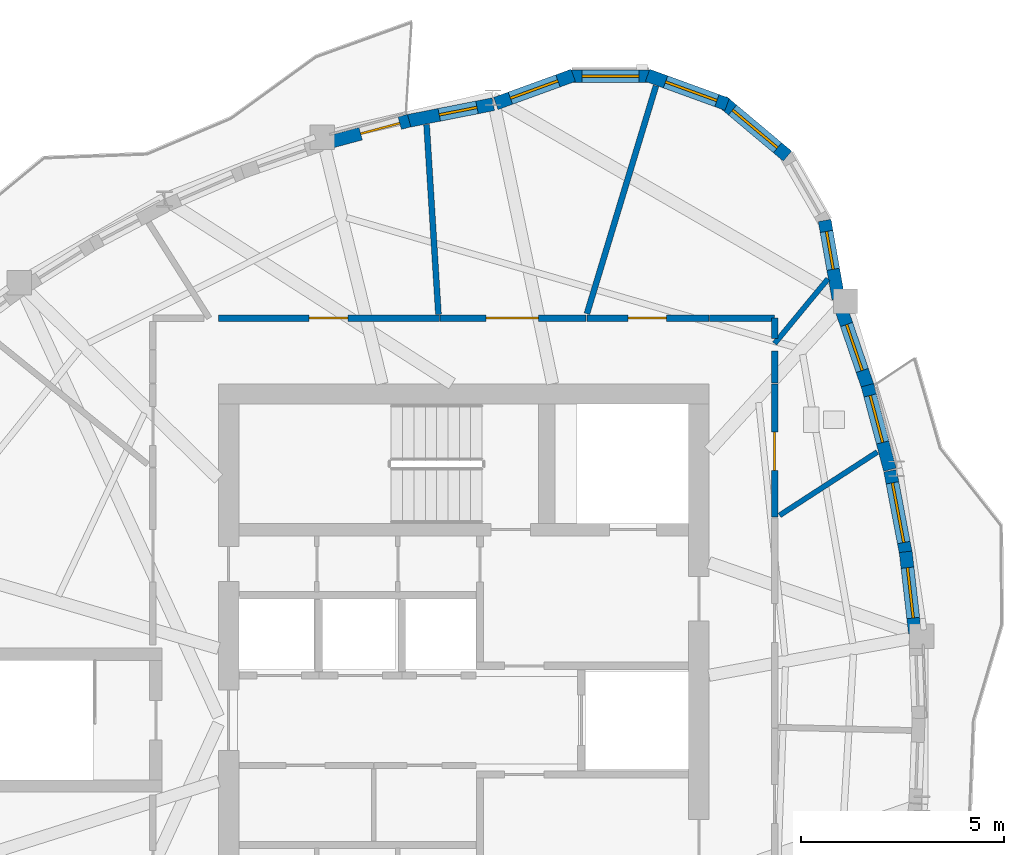
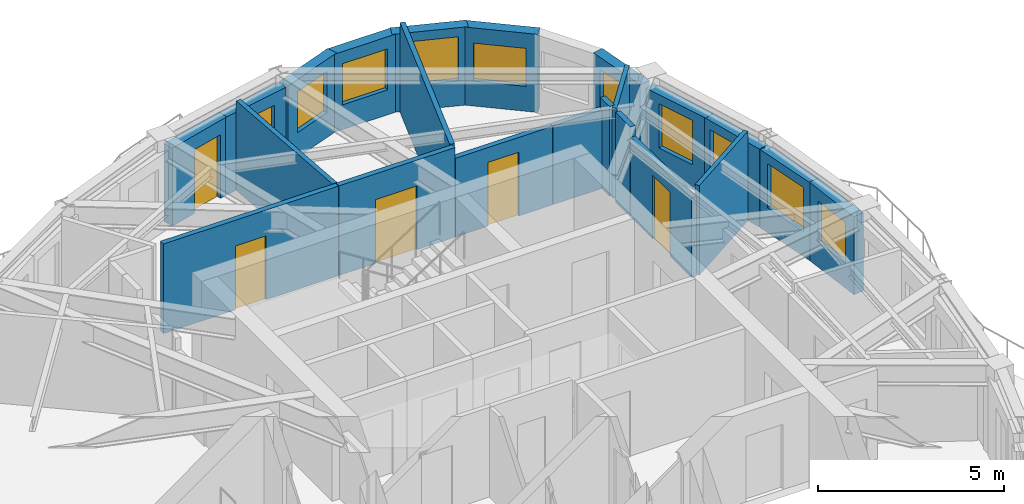
# One storey, part 7 of 12: 22 walls, 10 windows, 5 doors, 15 openings.
"""IFC4 building model written with IfcOpenShell, lengths in metres."""

from ifc_helpers import new_model, si_unit, direction, frame, frame_2d, origin, place, context, subcontext, project, spatial, rectangle, extrude, source, transform, mapped, material, layer, layer_set, type_object, element, fill, save


model = new_model("IFC4")

# Units and contexts
model_context = context("Model", 3, precision=1e-05, world=origin(), true_north=direction((0.0, 1.0)))
body_context = subcontext(model_context, "Body", "Model", "MODEL_VIEW")
ifc_project = project(units=[si_unit("LENGTHUNIT", "METRE"), si_unit("AREAUNIT", "SQUARE_METRE"), si_unit("VOLUMEUNIT", "CUBIC_METRE"), si_unit("PLANEANGLEUNIT", "RADIAN"), si_unit("MASSUNIT", "GRAM", prefix="KILO")], contexts=[model_context])

# Site, building, storey
site_placement = place(None, origin())
site = spatial("IfcSite", under=ifc_project, at=site_placement, CompositionType="ELEMENT")
building_placement = place(site_placement, origin())
building = spatial("IfcBuilding", under=site, at=building_placement, Name="Qafzar Sky-Pleat Residences", CompositionType="ELEMENT")
storey_placement = place(building_placement, frame((0.0, 0.0, 250.0)))
storey = spatial("IfcBuildingStorey", under=building, at=storey_placement, Name="L75", CompositionType="ELEMENT", Elevation=250.0)

# Wall, opening, door
ifc_material_1 = material(Name="Acoustic gypsum plasterboard partition", Category="gypsum")
ifc_layer_1 = layer(ifc_material_1, 0.159912109375)
ifc_layer_set_1 = layer_set([ifc_layer_1], Name="Acoustic gypsum plasterboard partition")
wall_type_1 = type_object("IfcWallType", Name="PART-COR-160", PredefinedType="PARTITIONING", material=ifc_layer_set_1)
wall_1_placement = place(storey_placement, frame((24.300048828125, 35.919921875, 0.0), z_axis=(0.0, 0.0, 1.0), x_axis=(1.0, 0.0, 0.0)))
wall_1 = element("IfcWall", 1, at=wall_1_placement, inside=storey, type_object=wall_type_1, Name="L75 Partition Wall PART-L75-PW-001", PredefinedType="PARTITIONING", context=body_context, shape_type="SweptSolid", body=[
    extrude(rectangle(XDim=5.446044921875, YDim=0.159912109375, at=frame_2d((2.72314453125, 0.0))), origin(), (0.0, 0.0, 1.0), 2.949951171875),
])
opening_1_placement = place(wall_1_placement, frame((2.235595703125, 0.0, 0.0)))
opening_1 = element("IfcOpeningElement", 2, at=opening_1_placement, cuts=wall_1, Name="Opening ID-06", PredefinedType="OPENING", context=body_context, shape_type="SweptSolid", body=[
    extrude(rectangle(XDim=0.9599609375, YDim=2.10009765625, at=frame_2d((0.47998046875, 1.050048828125))), frame((0.0, 0.08984375, 0.0), z_axis=(0.0, -1.0, 0.0), x_axis=(1.0, 0.0, 0.0)), (0.0, 0.0, 1.0), 0.179931640625),
])
ifc_material_2 = material(Name="Timber-faced fire door", Category="wood")
door_type_1 = type_object("IfcDoorType", Name="DR-STD-960", OperationType="NOTDEFINED", PredefinedType="DOOR", material=ifc_material_2)
shared_shape_1 = source(origin(), body_context, "Body", "SweptSolid", [
    extrude(rectangle(XDim=0.9599609375, YDim=2.10009765625, at=frame_2d((0.47998046875, 1.050048828125))), frame((0.0, 0.02490234375, 0.0), z_axis=(0.0, -1.0, 0.0), x_axis=(1.0, 0.0, 0.0)), (0.0, 0.0, 1.0), 0.050048828125),
])
door_1_placement = place(opening_1_placement, origin())
door_1 = element("IfcDoor", 3, at=door_1_placement, inside=storey, type_object=door_type_1, Name="L75 Scholar Co-Working Workspace Door", OperationType="SINGLE_SWING_RIGHT", OverallHeight=2.10009765625, OverallWidth=0.9599609375, PredefinedType="DOOR", context=body_context, shape_type="MappedRepresentation", body=[
    mapped(shared_shape_1, transform((0.0, 0.0, 0.0), x_axis=(1.0, 0.0, 0.0), y_axis=(0.0, 1.0, 0.0), z_axis=(0.0, 0.0, 1.0), scale=1.0)),
])
fill(opening_1, door_1)

wall_2_placement = place(storey_placement, frame((29.760986328125, 35.919921875, 0.0), z_axis=(0.0, 0.0, 1.0), x_axis=(1.0, 0.0, 0.0)))
wall_2 = element("IfcWall", 4, at=wall_2_placement, inside=storey, type_object=wall_type_1, Name="L75 Partition Wall PART-L75-PW-006", PredefinedType="PARTITIONING", context=body_context, shape_type="SweptSolid", body=[
    extrude(rectangle(XDim=3.610107421875, YDim=0.159912109375, at=frame_2d((1.80517578125, 0.0))), origin(), (0.0, 0.0, 1.0), 2.949951171875),
])
opening_2_placement = place(wall_2_placement, frame((1.132568359375, 0.0, 0.0)))
opening_2 = element("IfcOpeningElement", 5, at=opening_2_placement, cuts=wall_2, Name="Opening ID-05", PredefinedType="OPENING", context=body_context, shape_type="SweptSolid", body=[
    extrude(rectangle(XDim=1.300048828125, YDim=2.10009765625, at=frame_2d((0.64990234375, 1.050048828125))), frame((0.0, 0.08984375, 0.0), z_axis=(0.0, -1.0, 0.0), x_axis=(1.0, 0.0, 0.0)), (0.0, 0.0, 1.0), 0.179931640625),
])
door_type_2 = type_object("IfcDoorType", Name="DR-LNG-1300", OperationType="DOUBLE_DOOR_SINGLE_SWING", PredefinedType="DOOR", material=ifc_material_2)
shared_shape_2 = source(origin(), body_context, "Body", "SweptSolid", [
    extrude(rectangle(XDim=1.300048828125, YDim=2.10009765625, at=frame_2d((0.64990234375, 1.050048828125))), frame((0.0, 0.02490234375, 0.0), z_axis=(0.0, -1.0, 0.0), x_axis=(1.0, 0.0, 0.0)), (0.0, 0.0, 1.0), 0.050048828125),
])
door_2_placement = place(opening_2_placement, origin())
door_2 = element("IfcDoor", 6, at=door_2_placement, inside=storey, type_object=door_type_2, Name="L75 Graduate Lecture Room Door", OperationType="DOUBLE_DOOR_SINGLE_SWING", OverallHeight=2.10009765625, OverallWidth=1.300048828125, PredefinedType="DOOR", context=body_context, shape_type="MappedRepresentation", body=[
    mapped(shared_shape_2, transform((0.0, 0.0, 0.0), x_axis=(1.0, 0.0, 0.0), y_axis=(0.0, 1.0, 0.0), z_axis=(0.0, 0.0, 1.0), scale=1.0)),
])
fill(opening_2, door_2)

wall_3_placement = place(storey_placement, frame((38.02001953125, 34.300048828125, 0.0), z_axis=(0.0, 0.0, 1.0), x_axis=(0.0, -1.0, 0.0)))
wall_3 = element("IfcWall", 7, at=wall_3_placement, inside=storey, type_object=wall_type_1, Name="L75 Partition Wall PART-L75-PW-007", PredefinedType="PARTITIONING", context=body_context, shape_type="SweptSolid", body=[
    extrude(rectangle(XDim=3.29296875, YDim=0.159912109375, at=frame_2d((1.646484375, 0.0))), origin(), (0.0, 0.0, 1.0), 2.617919921875),
])
opening_3_placement = place(wall_3_placement, frame((1.18798828125, 0.0, 0.0)))
opening_3 = element("IfcOpeningElement", 8, at=opening_3_placement, cuts=wall_3, Name="Opening ID-08", PredefinedType="OPENING", context=body_context, shape_type="SweptSolid", body=[
    extrude(rectangle(XDim=0.949951171875, YDim=2.10009765625, at=frame_2d((0.47509765625, 1.050048828125))), frame((0.0, 0.08984375, 0.0), z_axis=(0.0, -1.0, 0.0), x_axis=(1.0, 0.0, 0.0)), (0.0, 0.0, 1.0), 0.179931640625),
])
door_type_3 = type_object("IfcDoorType", Name="DR-AWC-950", OperationType="NOTDEFINED", PredefinedType="DOOR", material=ifc_material_2)
shared_shape_3 = source(origin(), body_context, "Body", "SweptSolid", [
    extrude(rectangle(XDim=0.949951171875, YDim=2.10009765625, at=frame_2d((0.47509765625, 1.050048828125))), frame((0.0, 0.02490234375, 0.0), z_axis=(0.0, -1.0, 0.0), x_axis=(1.0, 0.0, 0.0)), (0.0, 0.0, 1.0), 0.050048828125),
])
door_3_placement = place(opening_3_placement, origin())
door_3 = element("IfcDoor", 9, at=door_3_placement, inside=storey, type_object=door_type_3, Name="L75 Accessible Shared Washroom Door", OperationType="SINGLE_SWING_LEFT", OverallHeight=2.10009765625, OverallWidth=0.949951171875, PredefinedType="DOOR", context=body_context, shape_type="MappedRepresentation", body=[
    mapped(shared_shape_3, transform((0.0, 0.0, 0.0), x_axis=(1.0, 0.0, 0.0), y_axis=(0.0, 1.0, 0.0), z_axis=(0.0, 0.0, 1.0), scale=1.0)),
])
fill(opening_3, door_3)

wall_4_placement = place(storey_placement, frame((33.385986328125, 35.919921875, 0.0), z_axis=(0.0, 0.0, 1.0), x_axis=(1.0, 0.0, 0.0)))
wall_4 = element("IfcWall", 10, at=wall_4_placement, inside=storey, type_object=wall_type_1, Name="L75 Partition Wall PART-L75-PW-009", PredefinedType="PARTITIONING", context=body_context, shape_type="SweptSolid", body=[
    extrude(rectangle(XDim=3.013916015625, YDim=0.159912109375, at=frame_2d((1.5068359375, 0.0))), origin(), (0.0, 0.0, 1.0), 2.587890625),
])
opening_4_placement = place(wall_4_placement, frame((1.011962890625, 0.0, 0.0)))
opening_4 = element("IfcOpeningElement", 11, at=opening_4_placement, cuts=wall_4, Name="Opening ID-06", PredefinedType="OPENING", context=body_context, shape_type="SweptSolid", body=[
    extrude(rectangle(XDim=0.9599609375, YDim=2.10009765625, at=frame_2d((0.47998046875, 1.050048828125))), frame((0.0, 0.08984375, 0.0), z_axis=(0.0, -1.0, 0.0), x_axis=(1.0, 0.0, 0.0)), (0.0, 0.0, 1.0), 0.179931640625),
])
door_4_placement = place(opening_4_placement, origin())
door_4 = element("IfcDoor", 12, at=door_4_placement, inside=storey, type_object=door_type_1, Name="L75 Faculty Research Office Door", OperationType="SINGLE_SWING_LEFT", OverallHeight=2.10009765625, OverallWidth=0.9599609375, PredefinedType="DOOR", context=body_context, shape_type="MappedRepresentation", body=[
    mapped(shared_shape_1, transform((0.0, 0.0, 0.0), x_axis=(1.0, 0.0, 0.0), y_axis=(0.0, 1.0, 0.0), z_axis=(0.0, 0.0, 1.0), scale=1.0)),
])
fill(opening_4, door_4)

# Walls
wall_5_placement = place(storey_placement, frame((36.4150390625, 35.919921875, 0.0), z_axis=(0.0, 0.0, 1.0), x_axis=(1.0, 0.0, 0.0)))
element("IfcWall", 13, at=wall_5_placement, inside=storey, type_object=wall_type_1, Name="L75 Partition Wall PART-L75-PW-023", PredefinedType="PARTITIONING", context=body_context, shape_type="SweptSolid", body=[
    extrude(rectangle(XDim=1.60498046875, YDim=0.159912109375, at=frame_2d((0.802490234375, 0.0))), origin(), (0.0, 0.0, 1.0), 2.587890625),
])
wall_6_placement = place(storey_placement, frame((38.02001953125, 34.31494140625, 0.0), z_axis=(0.0, 0.0, 1.0), x_axis=(0.0, 1.0, 0.0)))
element("IfcWall", 14, at=wall_6_placement, inside=storey, type_object=wall_type_1, Name="L75 Partition Wall PART-L75-PW-026", PredefinedType="PARTITIONING", context=body_context, shape_type="SweptSolid", body=[
    extrude(rectangle(XDim=0.7958984375, YDim=0.159912109375, at=frame_2d((0.39794921875, 0.0))), origin(), (0.0, 0.0, 1.0), 2.949951171875),
])
wall_7_placement = place(storey_placement, frame((38.02001953125, 35.423095703125, 0.0), z_axis=(0.0, 0.0, 1.0), x_axis=(0.0, 1.0, 0.0)))
element("IfcWall", 15, at=wall_7_placement, inside=storey, type_object=wall_type_1, Name="L75 Partition Wall PART-L75-PW-031", PredefinedType="PARTITIONING", context=body_context, shape_type="SweptSolid", body=[
    extrude(rectangle(XDim=0.496826171875, YDim=0.159912109375, at=frame_2d((0.24853515625, 0.0))), origin(), (0.0, 0.0, 1.0), 2.949951171875),
])
ifc_layer_2 = layer(ifc_material_1, 0.14501953125)
ifc_layer_set_2 = layer_set([ifc_layer_2], Name="Acoustic gypsum plasterboard partition")
wall_type_2 = type_object("IfcWallType", Name="PART-UNIT-145", PredefinedType="PARTITIONING", material=ifc_layer_set_2)
wall_8_placement = place(storey_placement, frame((33.388916015625, 36.02880859375, 0.0), z_axis=(0.0, 0.0, 1.0), x_axis=(0.289965875663, 0.957036985153, 0.0)))
element("IfcWall", 16, at=wall_8_placement, inside=storey, type_object=wall_type_2, Name="L75 Partition Wall PART-L75-PW-013", PredefinedType="PARTITIONING", context=body_context, shape_type="SweptSolid", body=[
    extrude(rectangle(XDim=5.875244140625, YDim=0.14501953125, at=frame_2d((2.9375, 0.0))), origin(), (0.0, 0.0, 1.0), 2.949951171875),
])
wall_9_placement = place(storey_placement, frame((29.4326171875, 40.693603515625, 0.0), z_axis=(0.0, 0.0, 1.0), x_axis=(0.062358842424, -0.998053793526, 0.0)))
element("IfcWall", 17, at=wall_9_placement, inside=storey, type_object=wall_type_2, Name="L75 Partition Wall PART-L75-PW-016", PredefinedType="PARTITIONING", context=body_context, shape_type="SweptSolid", body=[
    extrude(rectangle(XDim=4.690185546875, YDim=0.14501953125, at=frame_2d((2.34521484375, 0.0))), origin(), (0.0, 0.0, 1.0), 2.949951171875),
])
ifc_material_3 = material(Name="Moisture-resistant gypsum partition", Category="gypsum")
ifc_layer_3 = layer(ifc_material_3, 0.1298828125)
ifc_layer_set_3 = layer_set([ifc_layer_3], Name="Moisture-resistant gypsum partition")
wall_type_3 = type_object("IfcWallType", Name="PART-WET-130", PredefinedType="PARTITIONING", material=ifc_layer_set_3)
wall_10_placement = place(storey_placement, frame((38.14208984375, 31.05322265625, 0.0), z_axis=(0.0, 0.0, 1.0), x_axis=(0.839000059055, 0.544131326892, 0.0)))
element("IfcWall", 18, at=wall_10_placement, inside=storey, type_object=wall_type_3, Name="L75 Partition Wall PART-L75-PW-019", PredefinedType="PARTITIONING", context=body_context, shape_type="SweptSolid", body=[
    extrude(rectangle(XDim=2.874755859375, YDim=0.1298828125, at=frame_2d((1.4375, 0.0))), origin(), (0.0, 0.0, 1.0), 2.949951171875),
])
wall_11_placement = place(storey_placement, frame((38.02001953125, 35.2939453125, 0.0), z_axis=(0.0, 0.0, 1.0), x_axis=(0.636518208935, 0.771261673943, 0.0)))
element("IfcWall", 19, at=wall_11_placement, inside=storey, type_object=wall_type_3, Name="L75 Partition Wall PART-L75-PW-022", PredefinedType="PARTITIONING", context=body_context, shape_type="SweptSolid", body=[
    extrude(rectangle(XDim=2.0673828125, YDim=0.1298828125, at=frame_2d((1.03369140625, 0.0))), origin(), (0.0, 0.0, 1.0), 2.949951171875),
])

# Wall, opening, window
ifc_material_4 = material(Name="Precast concrete C40/50 with honed Riyadh limestone", Category="concrete")
ifc_layer_4 = layer(ifc_material_4, 0.320068359375)
ifc_layer_set_4 = layer_set([ifc_layer_4], Name="Precast concrete C40/50 with honed Riyadh limestone")
wall_type_4 = type_object("IfcWallType", Name="WALL-EXT-320", PredefinedType="SOLIDWALL", material=ifc_layer_set_4)
wall_12_placement = place(storey_placement, frame((41.483642578125, 28.138427734375, 0.0), z_axis=(0.0, 0.0, 1.0), x_axis=(-0.113244511591, 0.993567149515, 0.0)))
wall_12 = element("IfcWall", 20, at=wall_12_placement, inside=storey, type_object=wall_type_4, Name="L75 Limestone Facade Wall 29", PredefinedType="SOLIDWALL", context=body_context, shape_type="SweptSolid", body=[
    extrude(rectangle(XDim=2.028564453125, YDim=0.320068359375, at=frame_2d((1.01416015625, 0.0))), origin(), (0.0, 0.0, 1.0), 2.570068359375),
])
opening_5_placement = place(wall_12_placement, frame((0.38427734375, 0.0, 0.820068359375)))
opening_5 = element("IfcOpeningElement", 21, at=opening_5_placement, cuts=wall_12, Name="Opening WN-11", PredefinedType="OPENING", context=body_context, shape_type="SweptSolid", body=[
    extrude(rectangle(XDim=1.25, YDim=1.35009765625, at=frame_2d((0.625, 0.675048828125))), frame((0.0, 0.169921875, 0.0), z_axis=(0.0, -1.0, 0.0), x_axis=(1.0, 0.0, 0.0)), (0.0, 0.0, 1.0), 0.340087890625),
])
ifc_material_5 = material(Name="Solar-control low-E glass in bronze aluminium frame", Category="glass")
window_type_1 = type_object("IfcWindowType", Name="WIN-11", PartitioningType="SINGLE_PANEL", PredefinedType="WINDOW", material=ifc_material_5)
shared_shape_4 = source(origin(), body_context, "Body", "SweptSolid", [
    extrude(rectangle(XDim=1.25, YDim=1.35009765625, at=frame_2d((0.625, 0.675048828125))), frame((0.0, 0.030029296875, 0.0), z_axis=(0.0, -1.0, 0.0), x_axis=(1.0, 0.0, 0.0)), (0.0, 0.0, 1.0), 0.06005859375),
])
window_1_placement = place(opening_5_placement, origin())
window_1 = element("IfcWindow", 22, at=window_1_placement, inside=storey, type_object=window_type_1, Name="L75 Punched Facade Window 29", OverallHeight=1.35009765625, OverallWidth=1.25, PartitioningType="SINGLE_PANEL", PredefinedType="WINDOW", context=body_context, shape_type="MappedRepresentation", body=[
    mapped(shared_shape_4, transform((0.0, 0.0, 0.0), x_axis=(1.0, 0.0, 0.0), y_axis=(0.0, 1.0, 0.0), z_axis=(0.0, 0.0, 1.0), scale=1.0)),
])
fill(opening_5, window_1)

wall_13_placement = place(storey_placement, frame((41.26708984375, 30.067138671875, 0.0), z_axis=(0.0, 0.0, 1.0), x_axis=(-0.186705057177, 0.982416012504, 0.0)))
wall_13 = element("IfcWall", 23, at=wall_13_placement, inside=storey, type_object=wall_type_4, Name="L75 Limestone Facade Wall 30", PredefinedType="SOLIDWALL", context=body_context, shape_type="SweptSolid", body=[
    extrude(rectangle(XDim=2.122314453125, YDim=0.320068359375, at=frame_2d((1.06103515625, 0.0))), origin(), (0.0, 0.0, 1.0), 2.570068359375),
])
opening_6_placement = place(wall_13_placement, frame((0.321044921875, 0.0, 0.820068359375)))
opening_6 = element("IfcOpeningElement", 24, at=opening_6_placement, cuts=wall_13, Name="Opening WN-03", PredefinedType="OPENING", context=body_context, shape_type="SweptSolid", body=[
    extrude(rectangle(XDim=1.5, YDim=1.449951171875, at=frame_2d((0.75, 0.72509765625))), frame((0.0, 0.169921875, 0.0), z_axis=(0.0, -1.0, 0.0), x_axis=(1.0, 0.0, 0.0)), (0.0, 0.0, 1.0), 0.340087890625),
])
window_type_2 = type_object("IfcWindowType", Name="WIN-03", PartitioningType="DOUBLE_PANEL_VERTICAL", PredefinedType="WINDOW", material=ifc_material_5)
shared_shape_5 = source(origin(), body_context, "Body", "SweptSolid", [
    extrude(rectangle(XDim=1.5, YDim=1.449951171875, at=frame_2d((0.75, 0.72509765625))), frame((0.0, 0.030029296875, 0.0), z_axis=(0.0, -1.0, 0.0), x_axis=(1.0, 0.0, 0.0)), (0.0, 0.0, 1.0), 0.06005859375),
])
window_2_placement = place(opening_6_placement, origin())
window_2 = element("IfcWindow", 25, at=window_2_placement, inside=storey, type_object=window_type_2, Name="L75 Punched Facade Window 30", OverallHeight=1.449951171875, OverallWidth=1.5, PartitioningType="SINGLE_PANEL", PredefinedType="WINDOW", context=body_context, shape_type="MappedRepresentation", body=[
    mapped(shared_shape_5, transform((0.0, 0.0, 0.0), x_axis=(1.0, 0.0, 0.0), y_axis=(0.0, 1.0, 0.0), z_axis=(0.0, 0.0, 1.0), scale=1.0)),
])
fill(opening_6, window_2)

wall_14_placement = place(storey_placement, frame((40.864501953125, 32.1796875, 0.0), z_axis=(0.0, 0.0, 1.0), x_axis=(-0.257021579051, 0.966405664254, 0.0)))
wall_14 = element("IfcWall", 26, at=wall_14_placement, inside=storey, type_object=wall_type_4, Name="L75 Limestone Facade Wall 31", PredefinedType="SOLIDWALL", context=body_context, shape_type="SweptSolid", body=[
    extrude(rectangle(XDim=2.1572265625, YDim=0.320068359375, at=frame_2d((1.07861328125, 0.0))), origin(), (0.0, 0.0, 1.0), 2.570068359375),
])
opening_7_placement = place(wall_14_placement, frame((0.696044921875, 0.0, 0.820068359375)))
opening_7 = element("IfcOpeningElement", 27, at=opening_7_placement, cuts=wall_14, Name="Opening WN-05", PredefinedType="OPENING", context=body_context, shape_type="SweptSolid", body=[
    extrude(rectangle(XDim=1.199951171875, YDim=1.449951171875, at=frame_2d((0.60009765625, 0.72509765625))), frame((0.0, 0.169921875, 0.0), z_axis=(0.0, -1.0, 0.0), x_axis=(1.0, 0.0, 0.0)), (0.0, 0.0, 1.0), 0.340087890625),
])
window_type_3 = type_object("IfcWindowType", Name="WIN-05", PartitioningType="SINGLE_PANEL", PredefinedType="WINDOW", material=ifc_material_5)
shared_shape_6 = source(origin(), body_context, "Body", "SweptSolid", [
    extrude(rectangle(XDim=1.199951171875, YDim=1.449951171875, at=frame_2d((0.60009765625, 0.72509765625))), frame((0.0, 0.030029296875, 0.0), z_axis=(0.0, -1.0, 0.0), x_axis=(1.0, 0.0, 0.0)), (0.0, 0.0, 1.0), 0.06005859375),
])
window_3_placement = place(opening_7_placement, origin())
window_3 = element("IfcWindow", 28, at=window_3_placement, inside=storey, type_object=window_type_3, Name="L75 Punched Facade Window 31-2", OverallHeight=1.449951171875, OverallWidth=1.199951171875, PartitioningType="SINGLE_PANEL", PredefinedType="WINDOW", context=body_context, shape_type="MappedRepresentation", body=[
    mapped(shared_shape_6, transform((0.0, 0.0, 0.0), x_axis=(1.0, 0.0, 0.0), y_axis=(0.0, 1.0, 0.0), z_axis=(0.0, 0.0, 1.0), scale=1.0)),
])
fill(opening_7, window_3)

wall_15_placement = place(storey_placement, frame((40.33544921875, 34.18115234375, 0.0), z_axis=(0.0, 0.0, 1.0), x_axis=(-0.323601383087, 0.946193502865, 0.0)))
wall_15 = element("IfcWall", 29, at=wall_15_placement, inside=storey, type_object=wall_type_4, Name="L75 Limestone Facade Wall 32", PredefinedType="SOLIDWALL", context=body_context, shape_type="SweptSolid", body=[
    extrude(rectangle(XDim=2.1328125, YDim=0.320068359375, at=frame_2d((1.06640625, 0.0))), origin(), (0.0, 0.0, 1.0), 2.570068359375),
])
opening_8_placement = place(wall_15_placement, frame((0.471435546875, 0.0, 0.820068359375)))
opening_8 = element("IfcOpeningElement", 30, at=opening_8_placement, cuts=wall_15, Name="Opening WN-05", PredefinedType="OPENING", context=body_context, shape_type="SweptSolid", body=[
    extrude(rectangle(XDim=1.199951171875, YDim=1.449951171875, at=frame_2d((0.60009765625, 0.72509765625))), frame((0.0, 0.169921875, 0.0), z_axis=(0.0, -1.0, 0.0), x_axis=(1.0, 0.0, 0.0)), (0.0, 0.0, 1.0), 0.340087890625),
])
window_4_placement = place(opening_8_placement, origin())
window_4 = element("IfcWindow", 31, at=window_4_placement, inside=storey, type_object=window_type_3, Name="L75 Punched Facade Window 32", OverallHeight=1.449951171875, OverallWidth=1.199951171875, PartitioningType="SINGLE_PANEL", PredefinedType="WINDOW", context=body_context, shape_type="MappedRepresentation", body=[
    mapped(shared_shape_6, transform((0.0, 0.0, 0.0), x_axis=(1.0, 0.0, 0.0), y_axis=(0.0, 1.0, 0.0), z_axis=(0.0, 0.0, 1.0), scale=1.0)),
])
fill(opening_8, window_4)

wall_16_placement = place(storey_placement, frame((39.59423828125, 36.396728515625, 0.0), z_axis=(0.0, 0.0, 1.0), x_axis=(-0.173671780312, 0.984803590937, 0.0)))
wall_16 = element("IfcWall", 32, at=wall_16_placement, inside=storey, type_object=wall_type_4, Name="L75 Limestone Facade Wall 33", PredefinedType="SOLIDWALL", context=body_context, shape_type="SweptSolid", body=[
    extrude(rectangle(XDim=1.96240234375, YDim=0.320068359375, at=frame_2d((0.981201171875, 0.0))), origin(), (0.0, 0.0, 1.0), 2.570068359375),
])
opening_9_placement = place(wall_16_placement, frame((0.739013671875, 0.0, 0.820068359375)))
opening_9 = element("IfcOpeningElement", 33, at=opening_9_placement, cuts=wall_16, Name="Opening WN-12", PredefinedType="OPENING", context=body_context, shape_type="SweptSolid", body=[
    extrude(rectangle(XDim=0.949951171875, YDim=1.35009765625, at=frame_2d((0.47509765625, 0.675048828125))), frame((0.0, 0.169921875, 0.0), z_axis=(0.0, -1.0, 0.0), x_axis=(1.0, 0.0, 0.0)), (0.0, 0.0, 1.0), 0.340087890625),
])
window_type_4 = type_object("IfcWindowType", Name="WIN-12", PartitioningType="SINGLE_PANEL", PredefinedType="WINDOW", material=ifc_material_5)
shared_shape_7 = source(origin(), body_context, "Body", "SweptSolid", [
    extrude(rectangle(XDim=0.949951171875, YDim=1.35009765625, at=frame_2d((0.47509765625, 0.675048828125))), frame((0.0, 0.030029296875, 0.0), z_axis=(0.0, -1.0, 0.0), x_axis=(1.0, 0.0, 0.0)), (0.0, 0.0, 1.0), 0.06005859375),
])
window_5_placement = place(opening_9_placement, origin())
window_5 = element("IfcWindow", 34, at=window_5_placement, inside=storey, type_object=window_type_4, Name="L75 Punched Facade Window 33-2", OverallHeight=1.35009765625, OverallWidth=0.949951171875, PartitioningType="SINGLE_PANEL", PredefinedType="WINDOW", context=body_context, shape_type="MappedRepresentation", body=[
    mapped(shared_shape_7, transform((0.0, 0.0, 0.0), x_axis=(1.0, 0.0, 0.0), y_axis=(0.0, 1.0, 0.0), z_axis=(0.0, 0.0, 1.0), scale=1.0)),
])
fill(opening_9, window_5)

wall_17_placement = place(storey_placement, frame((38.3369140625, 39.917236328125, 0.0), z_axis=(0.0, 0.0, 1.0), x_axis=(-0.766024572719, 0.642811289563, 0.0)))
wall_17 = element("IfcWall", 35, at=wall_17_placement, inside=storey, type_object=wall_type_4, Name="L75 Limestone Facade Wall 35", PredefinedType="SOLIDWALL", context=body_context, shape_type="SweptSolid", body=[
    extrude(rectangle(XDim=2.09033203125, YDim=0.320068359375, at=frame_2d((1.045166015625, 0.0))), origin(), (0.0, 0.0, 1.0), 2.570068359375),
])
opening_10_placement = place(wall_17_placement, frame((0.3203125, 0.0, 0.820068359375)))
opening_10 = element("IfcOpeningElement", 36, at=opening_10_placement, cuts=wall_17, Name="Opening WN-15", PredefinedType="OPENING", context=body_context, shape_type="SweptSolid", body=[
    extrude(rectangle(XDim=1.449951171875, YDim=1.25, at=frame_2d((0.72509765625, 0.625))), frame((0.0, 0.169921875, 0.0), z_axis=(0.0, -1.0, 0.0), x_axis=(1.0, 0.0, 0.0)), (0.0, 0.0, 1.0), 0.340087890625),
])
window_type_5 = type_object("IfcWindowType", Name="WIN-15", PartitioningType="SINGLE_PANEL", PredefinedType="WINDOW", material=ifc_material_5)
shared_shape_8 = source(origin(), body_context, "Body", "SweptSolid", [
    extrude(rectangle(XDim=1.449951171875, YDim=1.25, at=frame_2d((0.72509765625, 0.625))), frame((0.0, 0.030029296875, 0.0), z_axis=(0.0, -1.0, 0.0), x_axis=(1.0, 0.0, 0.0)), (0.0, 0.0, 1.0), 0.06005859375),
])
window_6_placement = place(opening_10_placement, origin())
window_6 = element("IfcWindow", 37, at=window_6_placement, inside=storey, type_object=window_type_5, Name="L75 Punched Facade Window 35", OverallHeight=1.25, OverallWidth=1.449951171875, PartitioningType="SINGLE_PANEL", PredefinedType="WINDOW", context=body_context, shape_type="MappedRepresentation", body=[
    mapped(shared_shape_8, transform((0.0, 0.0, 0.0), x_axis=(1.0, 0.0, 0.0), y_axis=(0.0, 1.0, 0.0), z_axis=(0.0, 0.0, 1.0), scale=1.0)),
])
fill(opening_10, window_6)

wall_18_placement = place(storey_placement, frame((36.848388671875, 41.19580078125, 0.0), z_axis=(0.0, 0.0, 1.0), x_axis=(-0.93973543134, 0.341902499383, 0.0)))
wall_18 = element("IfcWall", 38, at=wall_18_placement, inside=storey, type_object=wall_type_4, Name="L75 Limestone Facade Wall 36", PredefinedType="SOLIDWALL", context=body_context, shape_type="SweptSolid", body=[
    extrude(rectangle(XDim=2.090087890625, YDim=0.320068359375, at=frame_2d((1.044921875, 0.0))), origin(), (0.0, 0.0, 1.0), 2.570068359375),
])
opening_11_placement = place(wall_18_placement, frame((0.2685546875, 0.0, 0.820068359375)))
opening_11 = element("IfcOpeningElement", 39, at=opening_11_placement, cuts=wall_18, Name="Opening WN-04", PredefinedType="OPENING", context=body_context, shape_type="SweptSolid", body=[
    extrude(rectangle(XDim=1.35009765625, YDim=1.449951171875, at=frame_2d((0.675048828125, 0.72509765625))), frame((0.0, 0.169921875, 0.0), z_axis=(0.0, -1.0, 0.0), x_axis=(1.0, 0.0, 0.0)), (0.0, 0.0, 1.0), 0.340087890625),
])
window_type_6 = type_object("IfcWindowType", Name="WIN-04", PartitioningType="SINGLE_PANEL", PredefinedType="WINDOW", material=ifc_material_5)
shared_shape_9 = source(origin(), body_context, "Body", "SweptSolid", [
    extrude(rectangle(XDim=1.35009765625, YDim=1.449951171875, at=frame_2d((0.675048828125, 0.72509765625))), frame((0.0, 0.030029296875, 0.0), z_axis=(0.0, -1.0, 0.0), x_axis=(1.0, 0.0, 0.0)), (0.0, 0.0, 1.0), 0.06005859375),
])
window_7_placement = place(opening_11_placement, origin())
window_7 = element("IfcWindow", 40, at=window_7_placement, inside=storey, type_object=window_type_6, Name="L75 Punched Facade Window 36", OverallHeight=1.449951171875, OverallWidth=1.35009765625, PartitioningType="SINGLE_PANEL", PredefinedType="WINDOW", context=body_context, shape_type="MappedRepresentation", body=[
    mapped(shared_shape_9, transform((0.0, 0.0, 0.0), x_axis=(1.0, 0.0, 0.0), y_axis=(0.0, 1.0, 0.0), z_axis=(0.0, 0.0, 1.0), scale=1.0)),
])
fill(opening_11, window_7)

wall_19_placement = place(storey_placement, frame((35.0126953125, 41.887939453125, 0.0), z_axis=(0.0, 0.0, 1.0), x_axis=(-1.0, 0.0, 0.0)))
wall_19 = element("IfcWall", 41, at=wall_19_placement, inside=storey, type_object=wall_type_4, Name="L75 Limestone Facade Wall 37", PredefinedType="SOLIDWALL", context=body_context, shape_type="SweptSolid", body=[
    extrude(rectangle(XDim=2.09033203125, YDim=0.320068359375, at=frame_2d((1.045166015625, 0.0))), origin(), (0.0, 0.0, 1.0), 2.570068359375),
])
opening_12_placement = place(wall_19_placement, frame((0.34521484375, 0.0, 0.820068359375)))
opening_12 = element("IfcOpeningElement", 42, at=opening_12_placement, cuts=wall_19, Name="Opening WN-10", PredefinedType="OPENING", context=body_context, shape_type="SweptSolid", body=[
    extrude(rectangle(XDim=1.39990234375, YDim=1.35009765625, at=frame_2d((0.699951171875, 0.675048828125))), frame((0.0, 0.169921875, 0.0), z_axis=(0.0, -1.0, 0.0), x_axis=(1.0, 0.0, 0.0)), (0.0, 0.0, 1.0), 0.340087890625),
])
window_type_7 = type_object("IfcWindowType", Name="WIN-10", PartitioningType="SINGLE_PANEL", PredefinedType="WINDOW", material=ifc_material_5)
shared_shape_10 = source(origin(), body_context, "Body", "SweptSolid", [
    extrude(rectangle(XDim=1.39990234375, YDim=1.35009765625, at=frame_2d((0.699951171875, 0.675048828125))), frame((0.0, 0.030029296875, 0.0), z_axis=(0.0, -1.0, 0.0), x_axis=(1.0, 0.0, 0.0)), (0.0, 0.0, 1.0), 0.06005859375),
])
window_8_placement = place(opening_12_placement, origin())
window_8 = element("IfcWindow", 43, at=window_8_placement, inside=storey, type_object=window_type_7, Name="L75 Punched Facade Window 37", OverallHeight=1.35009765625, OverallWidth=1.39990234375, PartitioningType="SINGLE_PANEL", PredefinedType="WINDOW", context=body_context, shape_type="MappedRepresentation", body=[
    mapped(shared_shape_10, transform((0.0, 0.0, 0.0), x_axis=(1.0, 0.0, 0.0), y_axis=(0.0, 1.0, 0.0), z_axis=(0.0, 0.0, 1.0), scale=1.0)),
])
fill(opening_12, window_8)

wall_20_placement = place(storey_placement, frame((33.05078125, 41.910400390625, 0.0), z_axis=(0.0, 0.0, 1.0), x_axis=(-0.939730268502, -0.341916689358, 0.0)))
wall_20 = element("IfcWall", 44, at=wall_20_placement, inside=storey, type_object=wall_type_4, Name="L75 Limestone Facade Wall 38", PredefinedType="SOLIDWALL", context=body_context, shape_type="SweptSolid", body=[
    extrude(rectangle(XDim=2.0322265625, YDim=0.320068359375, at=frame_2d((1.01611328125, 0.0))), origin(), (0.0, 0.0, 1.0), 2.570068359375),
])
opening_13_placement = place(wall_20_placement, frame((0.401123046875, 0.0, 0.820068359375)))
opening_13 = element("IfcOpeningElement", 45, at=opening_13_placement, cuts=wall_20, Name="Opening WN-11", PredefinedType="OPENING", context=body_context, shape_type="SweptSolid", body=[
    extrude(rectangle(XDim=1.25, YDim=1.35009765625, at=frame_2d((0.625, 0.675048828125))), frame((0.0, 0.169921875, 0.0), z_axis=(0.0, -1.0, 0.0), x_axis=(1.0, 0.0, 0.0)), (0.0, 0.0, 1.0), 0.340087890625),
])
window_9_placement = place(opening_13_placement, origin())
window_9 = element("IfcWindow", 46, at=window_9_placement, inside=storey, type_object=window_type_1, Name="L75 Punched Facade Window 38", OverallHeight=1.35009765625, OverallWidth=1.25, PartitioningType="SINGLE_PANEL", PredefinedType="WINDOW", context=body_context, shape_type="MappedRepresentation", body=[
    mapped(shared_shape_4, transform((0.0, 0.0, 0.0), x_axis=(1.0, 0.0, 0.0), y_axis=(0.0, 1.0, 0.0), z_axis=(0.0, 0.0, 1.0), scale=1.0)),
])
fill(opening_13, window_9)

wall_21_placement = place(storey_placement, frame((31.07861328125, 41.197998046875, 0.0), z_axis=(0.0, 0.0, 1.0), x_axis=(-0.981223354781, -0.192874902544, 0.0)))
wall_21 = element("IfcWall", 47, at=wall_21_placement, inside=storey, type_object=wall_type_4, Name="L75 Limestone Facade Wall 39", PredefinedType="SOLIDWALL", context=body_context, shape_type="SweptSolid", body=[
    extrude(rectangle(XDim=2.202392578125, YDim=0.320068359375, at=frame_2d((1.10107421875, 0.0))), origin(), (0.0, 0.0, 1.0), 2.570068359375),
])
opening_14_placement = place(wall_21_placement, frame((0.4091796875, 0.0, 0.820068359375)))
opening_14 = element("IfcOpeningElement", 48, at=opening_14_placement, cuts=wall_21, Name="Opening WN-12", PredefinedType="OPENING", context=body_context, shape_type="SweptSolid", body=[
    extrude(rectangle(XDim=0.949951171875, YDim=1.35009765625, at=frame_2d((0.47509765625, 0.675048828125))), frame((0.0, 0.169921875, 0.0), z_axis=(0.0, -1.0, 0.0), x_axis=(1.0, 0.0, 0.0)), (0.0, 0.0, 1.0), 0.340087890625),
])
window_10_placement = place(opening_14_placement, origin())
window_10 = element("IfcWindow", 49, at=window_10_placement, inside=storey, type_object=window_type_4, Name="L75 Punched Facade Window 39", OverallHeight=1.35009765625, OverallWidth=0.949951171875, PartitioningType="SINGLE_PANEL", PredefinedType="WINDOW", context=body_context, shape_type="MappedRepresentation", body=[
    mapped(shared_shape_7, transform((0.0, 0.0, 0.0), x_axis=(1.0, 0.0, 0.0), y_axis=(0.0, 1.0, 0.0), z_axis=(0.0, 0.0, 1.0), scale=1.0)),
])
fill(opening_14, window_10)

# Wall, opening, door
wall_22_placement = place(storey_placement, frame((29.002197265625, 40.79296875, 0.0), z_axis=(0.0, 0.0, 1.0), x_axis=(-0.965467637734, -0.260523013357, 0.0)))
wall_22 = element("IfcWall", 50, at=wall_22_placement, inside=storey, type_object=wall_type_4, Name="L75 Limestone Facade Wall 40", PredefinedType="SOLIDWALL", context=body_context, shape_type="SweptSolid", body=[
    extrude(rectangle(XDim=2.0869140625, YDim=0.320068359375, at=frame_2d((1.04345703125, 0.0))), origin(), (0.0, 0.0, 1.0), 2.570068359375),
])
opening_15_placement = place(wall_22_placement, frame((0.239990234375, 0.0, 0.0)))
opening_15 = element("IfcOpeningElement", 51, at=opening_15_placement, cuts=wall_22, Name="Opening ED-05", PredefinedType="OPENING", context=body_context, shape_type="SweptSolid", body=[
    extrude(rectangle(XDim=1.0, YDim=2.10009765625, at=frame_2d((0.5, 1.050048828125))), frame((0.0, 0.169921875, 0.0), z_axis=(0.0, -1.0, 0.0), x_axis=(1.0, 0.0, 0.0)), (0.0, 0.0, 1.0), 0.340087890625),
])
ifc_material_6 = material(Name="Glazed bronze aluminium door", Category="aluminium")
door_type_4 = type_object("IfcDoorType", Name="DR-BAL-1000", OperationType="NOTDEFINED", PredefinedType="DOOR", material=ifc_material_6)
shared_shape_11 = source(origin(), body_context, "Body", "SweptSolid", [
    extrude(rectangle(XDim=1.0, YDim=2.10009765625, at=frame_2d((0.5, 1.050048828125))), frame((0.0, 0.02490234375, 0.0), z_axis=(0.0, -1.0, 0.0), x_axis=(1.0, 0.0, 0.0)), (0.0, 0.0, 1.0), 0.050048828125),
])
door_5_placement = place(opening_15_placement, origin())
door_5 = element("IfcDoor", 52, at=door_5_placement, inside=storey, type_object=door_type_4, Name="L75 Glazed Balcony Door 2", OperationType="SINGLE_SWING_LEFT", OverallHeight=2.10009765625, OverallWidth=1.0, PredefinedType="DOOR", context=body_context, shape_type="MappedRepresentation", body=[
    mapped(shared_shape_11, transform((0.0, 0.0, 0.0), x_axis=(1.0, 0.0, 0.0), y_axis=(0.0, 1.0, 0.0), z_axis=(0.0, 0.0, 1.0), scale=1.0)),
])
fill(opening_15, door_5)

save(model, "model.ifc")
